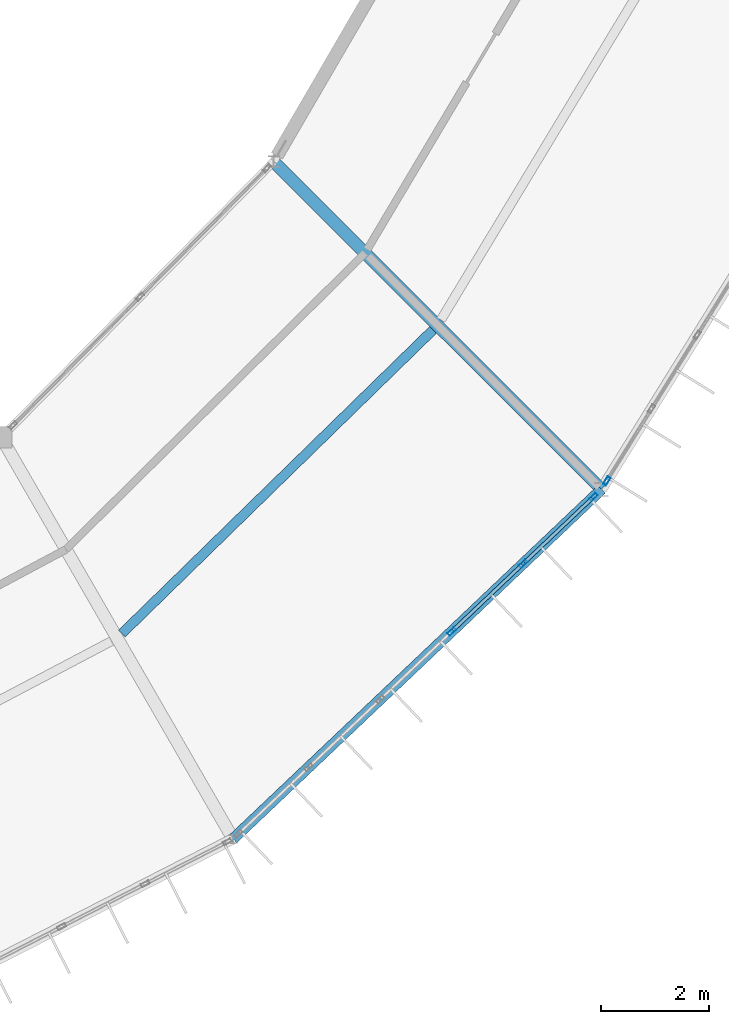
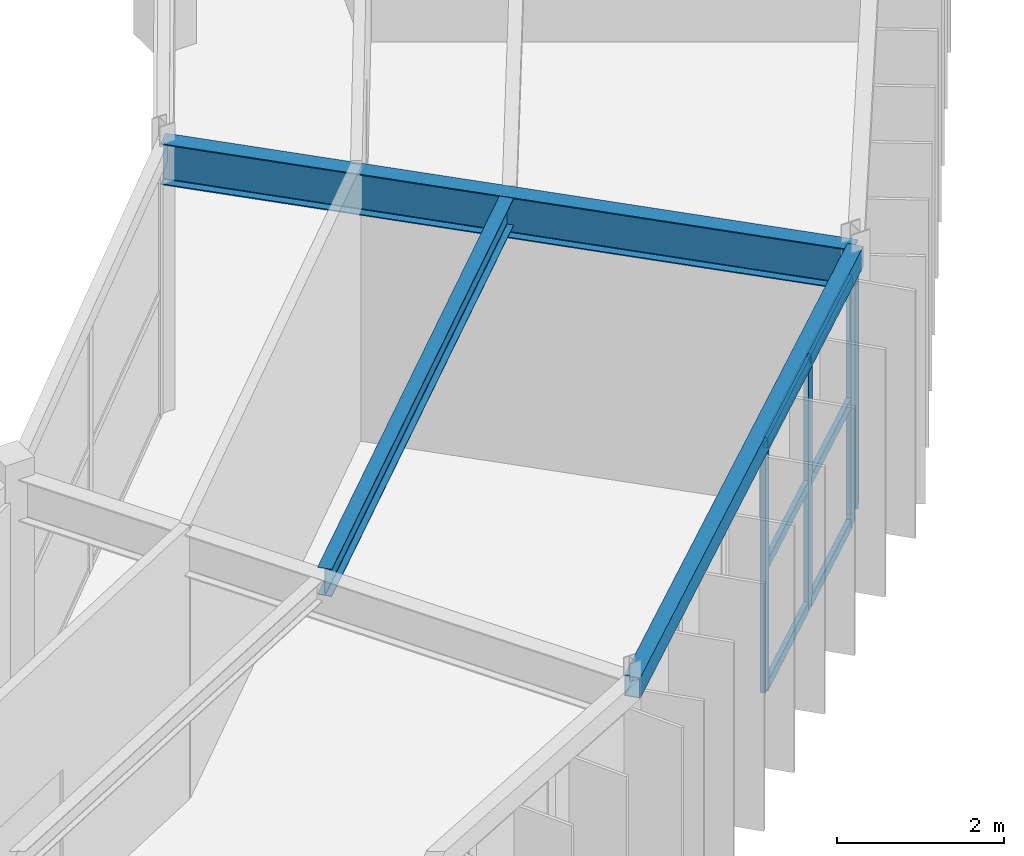
# One storey, part 46 of 130: 10 members, 3 beams, 2 elements without a shape of their own.
"""IFC4 building model written with IfcOpenShell, lengths in metres."""

from ifc_helpers import new_model, si_unit, direction, frame, origin, origin_2d, place, context, subcontext, project, spatial, hollow_rectangle, i_section, extrude, material, material_profile, profile_set, type_object, element, aggregate, save


model = new_model("IFC4")

# Units and contexts
model_context = context("Model", 3, precision=1e-05, world=origin(), true_north=direction((0.0, 1.0)))
body_context = subcontext(model_context, "Body", "Model", "MODEL_VIEW")
ifc_project = project(units=[si_unit("LENGTHUNIT", "METRE"), si_unit("AREAUNIT", "SQUARE_METRE"), si_unit("VOLUMEUNIT", "CUBIC_METRE"), si_unit("PLANEANGLEUNIT", "RADIAN"), si_unit("MASSUNIT", "GRAM", prefix="KILO")], contexts=[model_context])

# Site, building, storey
site_placement = place(None, origin())
site = spatial("IfcSite", under=ifc_project, at=site_placement, CompositionType="ELEMENT")
building_placement = place(site_placement, origin())
building = spatial("IfcBuilding", under=site, at=building_placement, Name="Karori Crest Natural Sciences Institute", CompositionType="ELEMENT")
storey_placement = place(building_placement, frame((0.0, 0.0, 17.5)))
storey = spatial("IfcBuildingStorey", under=building, at=storey_placement, Name="L04", CompositionType="ELEMENT", Elevation=17.5)

# Beams
ifc_material_1 = material(Name="Hollow structural steel AS/NZS 1163 Grade C350", Category="steel")
ifc_material_profile_1 = material_profile(ifc_material_1, hollow_rectangle(XDim=0.199951171875, YDim=0.300048828125, WallThickness=0.010009765625, at=origin_2d()), Name="RHS300x200x10")
ifc_profile_set_1 = profile_set([ifc_material_profile_1], Name="Hollow structural steel AS/NZS 1163 Grade C350")
beam_type_1 = type_object("IfcBeamType", Name="BT-15", PredefinedType="SPANDREL", material=ifc_profile_set_1)
beam_1_placement = place(storey_placement, frame((82.89990234375, 14.566162109375, 3.7900390625), z_axis=(0.725481282589, 0.688241896874, 0.0), x_axis=(-0.688241896874, 0.725481282589, 0.0)))
element("IfcBeam", 1, at=beam_1_placement, inside=storey, type_object=beam_type_1, Name="Beam B-0526", PredefinedType="SPANDREL", context=body_context, shape_type="SweptSolid", body=[
    extrude(hollow_rectangle(XDim=0.199951171875, YDim=0.300048828125, WallThickness=0.010009765625, at=origin_2d()), origin(), (0.0, 0.0, 1.0), 9.4208984375),
])
ifc_material_2 = material(Name="Structural steel AS/NZS 3679.1 Grade 350", Category="steel")
ifc_material_profile_2 = material_profile(ifc_material_2, i_section(OverallWidth=0.22802734375, OverallDepth=0.60205078125, WebThickness=0.010498046875, FlangeThickness=0.014892578125, FilletRadius=0.013916015625, at=origin_2d()), Name="610UB101")
ifc_profile_set_2 = profile_set([ifc_material_profile_2], Name="Structural steel AS/NZS 3679.1 Grade 350")
beam_type_2 = type_object("IfcBeamType", Name="BT-27", PredefinedType="BEAM", material=ifc_profile_set_2)
beam_2_placement = place(storey_placement, frame((83.6533203125, 27.131103515625, 3.638916015625), z_axis=(0.70712097513, -0.707092586958, 0.0), x_axis=(0.707092586958, 0.70712097513, 0.0)))
element("IfcBeam", 2, at=beam_2_placement, inside=storey, type_object=beam_type_2, Name="Beam B-0532", PredefinedType="BEAM", context=body_context, shape_type="SweptSolid", body=[
    extrude(i_section(OverallWidth=0.22802734375, OverallDepth=0.60205078125, WebThickness=0.010498046875, FlangeThickness=0.014892578125, FilletRadius=0.013916015625, at=origin_2d()), origin(), (0.0, 0.0, 1.0), 8.60009765625),
])
ifc_material_profile_3 = material_profile(ifc_material_2, i_section(OverallWidth=0.177978515625, OverallDepth=0.403076171875, WebThickness=0.007568359375, FlangeThickness=0.010986328125, FilletRadius=0.010986328125, at=origin_2d()), Name="410UB53.7")
ifc_profile_set_3 = profile_set([ifc_material_profile_3], Name="Structural steel AS/NZS 3679.1 Grade 350")
beam_type_3 = type_object("IfcBeamType", Name="BT-29", PredefinedType="BEAM", material=ifc_profile_set_3)
beam_3_placement = place(storey_placement, frame((80.8359375, 18.373779296875, 3.738525390625), z_axis=(0.715681193625, 0.698427110794, 0.0), x_axis=(-0.698427110794, 0.715681193625, 0.0)))
element("IfcBeam", 3, at=beam_3_placement, inside=storey, type_object=beam_type_3, Name="Beam B-0529", PredefinedType="BEAM", context=body_context, shape_type="SweptSolid", body=[
    extrude(i_section(OverallWidth=0.177978515625, OverallDepth=0.403076171875, WebThickness=0.007568359375, FlangeThickness=0.010986328125, FilletRadius=0.010986328125, at=origin_2d()), origin(), (0.0, 0.0, 1.0), 8.0654296875),
])

# Curtain wall, members
ifc_material_3 = material(Name="Anodised architectural aluminium 6063-T6", Category="aluminium")
curtain_wall_type_1 = type_object("IfcCurtainWallType", Name="CWT-01", PredefinedType="NOTDEFINED", material=ifc_material_3)
curtain_wall_1_placement = place(storey_placement, origin())
curtain_wall_1 = element("IfcCurtainWall", 4, at=curtain_wall_1_placement, inside=storey, type_object=curtain_wall_type_1, Name="Curtain wall CW-0166", PredefinedType="NOTDEFINED")
ifc_material_profile_4 = material_profile(ifc_material_3, hollow_rectangle(XDim=0.06494140625, YDim=0.159912109375, WallThickness=0.00390625, at=origin_2d()), Name="CWM160x65x4")
ifc_profile_set_4 = profile_set([ifc_material_profile_4], Name="Anodised architectural aluminium 6063-T6")
member_type_1 = type_object("IfcMemberType", Name="CWM-01", PredefinedType="MULLION", material=ifc_profile_set_4)
member_1_placement = place(storey_placement, frame((89.58447265625, 20.90771484375, 0.0), z_axis=(0.0, 0.0, 1.0), x_axis=(0.688250542104, -0.725473081026, 0.0)))
member_1 = element("IfcMember", 5, at=member_1_placement, type_object=member_type_1, Name="CW-0166 mullion 1", PredefinedType="MULLION", context=body_context, shape_type="SweptSolid", body=[
    extrude(hollow_rectangle(XDim=0.06494140625, YDim=0.159912109375, WallThickness=0.00390625, at=origin_2d()), origin(), (0.0, 0.0, 1.0), 3.625),
])
member_2_placement = place(storey_placement, frame((88.281494140625, 19.671630859375, 0.0), z_axis=(0.0, 0.0, 1.0), x_axis=(0.688250542104, -0.725473081026, 0.0)))
member_2 = element("IfcMember", 6, at=member_2_placement, type_object=member_type_1, Name="CW-0166 mullion 2", PredefinedType="MULLION", context=body_context, shape_type="SweptSolid", body=[
    extrude(hollow_rectangle(XDim=0.06494140625, YDim=0.159912109375, WallThickness=0.00390625, at=origin_2d()), origin(), (0.0, 0.0, 1.0), 3.625),
])
member_3_placement = place(storey_placement, frame((86.955078125, 18.4130859375, 0.0), z_axis=(0.0, 0.0, 1.0), x_axis=(0.688250542104, -0.725473081026, 0.0)))
member_3 = element("IfcMember", 7, at=member_3_placement, type_object=member_type_1, Name="CW-0166 mullion 3", PredefinedType="MULLION", context=body_context, shape_type="SweptSolid", body=[
    extrude(hollow_rectangle(XDim=0.06494140625, YDim=0.159912109375, WallThickness=0.00390625, at=origin_2d()), origin(), (0.0, 0.0, 1.0), 3.625),
])

# Curtain wall, member
curtain_wall_type_2 = type_object("IfcCurtainWallType", Name="CWT-02", PredefinedType="NOTDEFINED", material=ifc_material_3)
curtain_wall_2_placement = place(storey_placement, origin())
curtain_wall_2 = element("IfcCurtainWall", 8, at=curtain_wall_2_placement, inside=storey, type_object=curtain_wall_type_2, Name="Curtain wall CW-0168", PredefinedType="NOTDEFINED")
member_4_placement = place(storey_placement, frame((89.831298828125, 21.205810546875, 0.0), z_axis=(0.0, 0.0, 1.0), x_axis=(0.849664350398, -0.527323896352, 0.0)))
member_4 = element("IfcMember", 9, at=member_4_placement, type_object=member_type_1, Name="CW-0168 mullion 7", PredefinedType="MULLION", context=body_context, shape_type="SweptSolid", body=[
    extrude(hollow_rectangle(XDim=0.06494140625, YDim=0.159912109375, WallThickness=0.00390625, at=origin_2d()), origin(), (0.0, 0.0, 1.0), 3.625),
])
aggregate(curtain_wall_2, [member_4])

# Member
ifc_material_profile_5 = material_profile(ifc_material_3, hollow_rectangle(XDim=0.06494140625, YDim=0.14990234375, WallThickness=0.00390625, at=origin_2d()), Name="CWT150x65x4")
ifc_profile_set_5 = profile_set([ifc_material_profile_5], Name="Anodised architectural aluminium 6063-T6")
member_type_2 = type_object("IfcMemberType", Name="CWT-TR2", PredefinedType="USERDEFINED", material=ifc_profile_set_5)
member_5_placement = place(storey_placement, frame((89.560791015625, 20.88525390625, 0.032470703125), z_axis=(-0.725411327963, -0.6883156291, 0.0), x_axis=(0.6883156291, -0.725411327963, 0.0)))
member_5 = element("IfcMember", 10, at=member_5_placement, type_object=member_type_2, Name="CW-0166 transom 1.1", ObjectType="TRANSOM", PredefinedType="USERDEFINED", context=body_context, shape_type="SweptSolid", body=[
    extrude(hollow_rectangle(XDim=0.06494140625, YDim=0.14990234375, WallThickness=0.00390625, at=origin_2d()), origin(), (0.0, 0.0, 1.0), 1.73095703125),
])

member_6_placement = place(storey_placement, frame((89.560791015625, 20.88525390625, 1.8125), z_axis=(-0.725411327963, -0.6883156291, 0.0), x_axis=(0.6883156291, -0.725411327963, 0.0)))
member_6 = element("IfcMember", 11, at=member_6_placement, type_object=member_type_2, Name="CW-0166 transom 1.2", ObjectType="TRANSOM", PredefinedType="USERDEFINED", context=body_context, shape_type="SweptSolid", body=[
    extrude(hollow_rectangle(XDim=0.06494140625, YDim=0.14990234375, WallThickness=0.00390625, at=origin_2d()), origin(), (0.0, 0.0, 1.0), 1.73095703125),
])

member_7_placement = place(storey_placement, frame((89.560791015625, 20.88525390625, 3.592529296875), z_axis=(-0.725411327963, -0.6883156291, 0.0), x_axis=(0.6883156291, -0.725411327963, 0.0)))
member_7 = element("IfcMember", 12, at=member_7_placement, type_object=member_type_2, Name="CW-0166 transom 1.3", ObjectType="TRANSOM", PredefinedType="USERDEFINED", context=body_context, shape_type="SweptSolid", body=[
    extrude(hollow_rectangle(XDim=0.06494140625, YDim=0.14990234375, WallThickness=0.00390625, at=origin_2d()), origin(), (0.0, 0.0, 1.0), 1.73095703125),
])

member_8_placement = place(storey_placement, frame((88.2578125, 19.649169921875, 0.032470703125), z_axis=(-0.725483196334, -0.688239879575, 0.0), x_axis=(0.688239879575, -0.725483196334, 0.0)))
member_8 = element("IfcMember", 13, at=member_8_placement, type_object=member_type_2, Name="CW-0166 transom 2.1", ObjectType="TRANSOM", PredefinedType="USERDEFINED", context=body_context, shape_type="SweptSolid", body=[
    extrude(hollow_rectangle(XDim=0.06494140625, YDim=0.14990234375, WallThickness=0.00390625, at=origin_2d()), origin(), (0.0, 0.0, 1.0), 1.763427734375),
])

member_9_placement = place(storey_placement, frame((88.2578125, 19.649169921875, 1.8125), z_axis=(-0.725483196334, -0.688239879575, 0.0), x_axis=(0.688239879575, -0.725483196334, 0.0)))
member_9 = element("IfcMember", 14, at=member_9_placement, type_object=member_type_2, Name="CW-0166 transom 2.2", ObjectType="TRANSOM", PredefinedType="USERDEFINED", context=body_context, shape_type="SweptSolid", body=[
    extrude(hollow_rectangle(XDim=0.06494140625, YDim=0.14990234375, WallThickness=0.00390625, at=origin_2d()), origin(), (0.0, 0.0, 1.0), 1.763427734375),
])

member_10_placement = place(storey_placement, frame((88.2578125, 19.649169921875, 3.592529296875), z_axis=(-0.725483196334, -0.688239879575, 0.0), x_axis=(0.688239879575, -0.725483196334, 0.0)))
member_10 = element("IfcMember", 15, at=member_10_placement, type_object=member_type_2, Name="CW-0166 transom 2.3", ObjectType="TRANSOM", PredefinedType="USERDEFINED", context=body_context, shape_type="SweptSolid", body=[
    extrude(hollow_rectangle(XDim=0.06494140625, YDim=0.14990234375, WallThickness=0.00390625, at=origin_2d()), origin(), (0.0, 0.0, 1.0), 1.763427734375),
])

aggregate(curtain_wall_1, [member_1, member_2, member_3, member_5, member_6, member_7, member_8, member_9, member_10])

save(model, "model.ifc")
